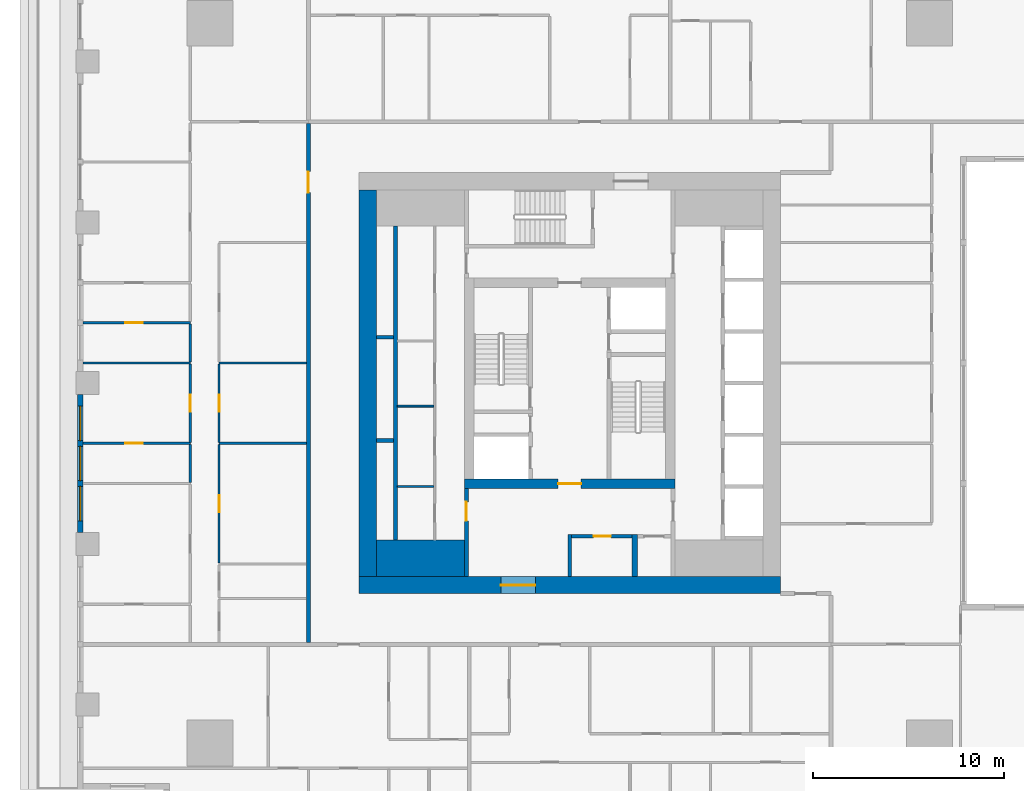
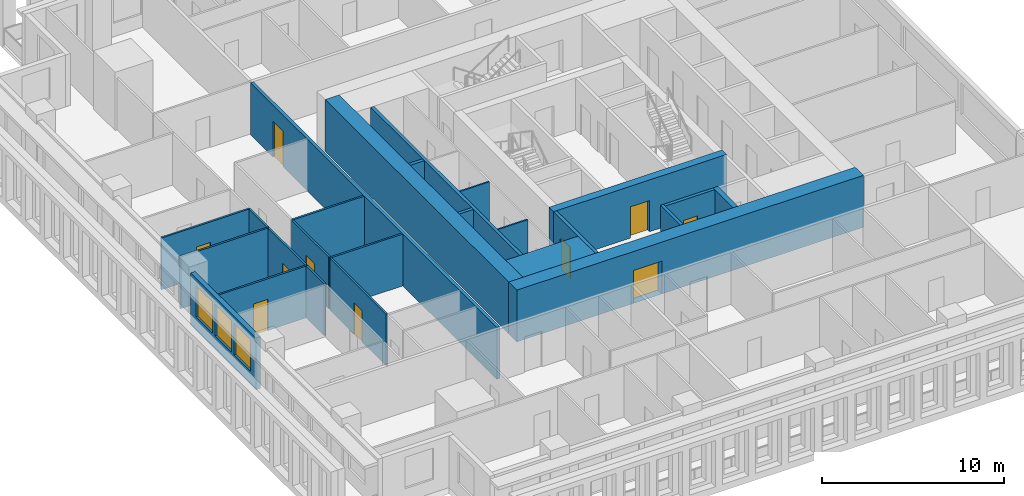
# One storey, part 3 of 15: 25 walls, 10 doors, 3 windows, 13 openings.
"""IFC4 building model written with IfcOpenShell, lengths in metres."""

from ifc_helpers import new_model, si_unit, direction, frame, frame_2d, origin, place, context, subcontext, project, spatial, rectangle, extrude, material, layer, layer_set, type_object, element, fill, save


model = new_model("IFC4")

# Units and contexts
model_context = context("Model", 3, precision=1e-05, world=origin(), true_north=direction((0.0, 1.0)))
body_context = subcontext(model_context, "Body", "Model", "MODEL_VIEW")
ifc_project = project(units=[si_unit("LENGTHUNIT", "METRE"), si_unit("AREAUNIT", "SQUARE_METRE"), si_unit("VOLUMEUNIT", "CUBIC_METRE"), si_unit("PLANEANGLEUNIT", "RADIAN"), si_unit("MASSUNIT", "GRAM", prefix="KILO")], contexts=[model_context])

# Site, building, storey
site_placement = place(None, origin())
site = spatial("IfcSite", under=ifc_project, at=site_placement, CompositionType="ELEMENT")
building_placement = place(site_placement, origin())
building = spatial("IfcBuilding", under=site, at=building_placement, Name="Khepri Terraces", CompositionType="ELEMENT")
storey_placement = place(building_placement, frame((0.0, 0.0, 223.5)))
storey = spatial("IfcBuildingStorey", under=building, at=storey_placement, Name="L53", CompositionType="ELEMENT", Elevation=223.5)

# Walls
ifc_material_1 = material(Name="Concrete C50/60", Category="concrete")
ifc_layer_1 = layer(ifc_material_1, 1.89990234375, Name="Concrete C50/60", Category="concrete")
ifc_layer_set_1 = layer_set([ifc_layer_1], Name="Concrete C50/60")
wall_type_1 = type_object("IfcWallType", Name="Core wall 1900 C50/60", PredefinedType="SHEAR", material=ifc_layer_set_1)
wall_1_placement = place(storey_placement, frame((-10.10009765625, -9.14990234375, 0.0), z_axis=(0.0, 0.0, 1.0), x_axis=(1.0, 0.0, 0.0)))
element("IfcWall", 1, at=wall_1_placement, inside=storey, type_object=wall_type_1, Name="Core wall PR01 L53", PredefinedType="SHEAR", context=body_context, shape_type="SweptSolid", body=[
    extrude(rectangle(XDim=4.60009765625, YDim=1.89990234375, at=frame_2d((2.300048828125, 0.0))), origin(), (0.0, 0.0, 1.0), 3.47998046875),
])
ifc_layer_2 = layer(ifc_material_1, 0.199951171875, Name="Concrete C50/60", Category="concrete")
ifc_layer_set_2 = layer_set([ifc_layer_2], Name="Concrete C50/60")
wall_type_2 = type_object("IfcWallType", Name="Core wall 200 C50/60", PredefinedType="SHEAR", material=ifc_layer_set_2)
wall_2_placement = place(storey_placement, frame((-9.10009765625, -8.199951171875, 0.0), z_axis=(0.0, 0.0, 1.0), x_axis=(0.0, 1.0, 0.0)))
element("IfcWall", 2, at=wall_2_placement, inside=storey, type_object=wall_type_2, Name="Core wall SH01 L53", PredefinedType="SHEAR", context=body_context, shape_type="SweptSolid", body=[
    extrude(rectangle(XDim=16.39990234375, YDim=0.199951171875, at=frame_2d((8.199951171875, 0.0))), origin(), (0.0, 0.0, 1.0), 3.47998046875),
])
for number, where, z_axis, x_axis, name in (
    (3, (-10.10009765625, -3.0, 0.0), (0.0, 0.0, 1.0), (1.0, 0.0, 0.0), "Core wall SH06 L53"),
    (4, (-10.10009765625, 2.39990234375, 0.0), (0.0, 0.0, 1.0), (1.0, 0.0, 0.0), "Core wall SH11 L53"),
):
    element("IfcWall", number, at=place(storey_placement, frame(where, z_axis=z_axis, x_axis=x_axis)), inside=storey, type_object=wall_type_2, Name=name, PredefinedType="SHEAR", context=body_context, shape_type="SweptSolid", body=[
        extrude(rectangle(XDim=0.900146484375, YDim=0.199951171875, at=frame_2d((0.4501953125, 0.0))), origin(), (0.0, 0.0, 1.0), 3.47998046875),
    ])

# Wall, opening, door
ifc_layer_3 = layer(ifc_material_1, 0.5, Name="Concrete C50/60", Category="concrete")
ifc_layer_set_3 = layer_set([ifc_layer_3], Name="Concrete C50/60")
wall_type_3 = type_object("IfcWallType", Name="Core wall 500 C50/60", PredefinedType="SHEAR", material=ifc_layer_set_3)
wall_3_placement = place(storey_placement, frame((-5.5, -5.25, 0.0), z_axis=(0.0, 0.0, 1.0), x_axis=(1.0, 0.0, 0.0)))
wall_3 = element("IfcWall", 5, at=wall_3_placement, inside=storey, type_object=wall_type_3, Name="Core wall BX01 L53", PredefinedType="SHEAR", context=body_context, shape_type="SweptSolid", body=[
    extrude(rectangle(XDim=11.0, YDim=0.5, at=frame_2d((5.5, 0.0))), origin(), (0.0, 0.0, 1.0), 3.47998046875),
])
opening_1_placement = place(wall_3_placement, frame((4.89990234375, 0.0, 0.0)))
opening_1 = element("IfcOpeningElement", 6, at=opening_1_placement, cuts=wall_3, Name="Opening L53-C14", PredefinedType="OPENING", context=body_context, shape_type="SweptSolid", body=[
    extrude(rectangle(XDim=1.199951171875, YDim=2.10009765625, at=frame_2d((0.60009765625, 1.050048828125))), frame((0.0, 0.260009765625, 0.0), z_axis=(0.0, -1.0, 0.0), x_axis=(1.0, 0.0, 0.0)), (0.0, 0.0, 1.0), 0.52001953125),
])
ifc_material_2 = material(Name="Painted steel", Category="steel")
door_type_1 = type_object("IfcDoorType", Name="DR-CORE-FF-LOBBY-1200", OperationType="NOTDEFINED", PredefinedType="DOOR", material=ifc_material_2)
door_1_placement = place(opening_1_placement, origin())
door_1 = element("IfcDoor", 7, at=door_1_placement, inside=storey, type_object=door_type_1, Name="Firefighting lobby door L53-C14", OperationType="SINGLE_SWING_RIGHT", OverallHeight=2.10009765625, OverallWidth=1.199951171875, PredefinedType="DOOR", context=body_context, shape_type="SweptSolid", body=[
    extrude(rectangle(XDim=1.199951171875, YDim=2.10009765625, at=frame_2d((0.60009765625, 1.050048828125))), frame((0.0, 0.02490234375, 0.0), z_axis=(0.0, -1.0, 0.0), x_axis=(1.0, 0.0, 0.0)), (0.0, 0.0, 1.0), 0.050048828125),
])
fill(opening_1, door_1)

ifc_layer_4 = layer(ifc_material_1, 0.89990234375, Name="Concrete C50/60", Category="concrete")
ifc_layer_set_4 = layer_set([ifc_layer_4], Name="Concrete C50/60")
wall_type_4 = type_object("IfcWallType", Name="Core wall 900 C50/60", PredefinedType="SHEAR", material=ifc_layer_set_4)
wall_4_placement = place(storey_placement, frame((-11.0, -10.550048828125, 0.0), z_axis=(0.0, 0.0, 1.0), x_axis=(1.0, 0.0, 0.0)))
wall_4 = element("IfcWall", 8, at=wall_4_placement, inside=storey, type_object=wall_type_4, Name="Core wall OW-S L53", PredefinedType="SHEAR", context=body_context, shape_type="SweptSolid", body=[
    extrude(rectangle(XDim=22.0, YDim=0.89990234375, at=frame_2d((11.0, 0.0))), origin(), (0.0, 0.0, 1.0), 3.47998046875),
])
opening_2_placement = place(wall_4_placement, frame((7.39990234375, 0.0, 0.0)))
opening_2 = element("IfcOpeningElement", 9, at=opening_2_placement, cuts=wall_4, Name="Opening L53-C21", PredefinedType="OPENING", context=body_context, shape_type="SweptSolid", body=[
    extrude(rectangle(XDim=1.800048828125, YDim=2.199951171875, at=frame_2d((0.89990234375, 1.10009765625))), frame((0.0, 0.4599609375, 0.0), z_axis=(0.0, -1.0, 0.0), x_axis=(1.0, 0.0, 0.0)), (0.0, 0.0, 1.0), 0.919921875),
])
door_type_2 = type_object("IfcDoorType", Name="DR-CORE-ENTRANCE-1800", OperationType="NOTDEFINED", PredefinedType="DOOR", material=ifc_material_2)
door_2_placement = place(opening_2_placement, frame((1.800048828125, 0.0, 0.0), z_axis=(0.0, 0.0, 1.0), x_axis=(-1.0, 0.0, 0.0)))
door_2 = element("IfcDoor", 10, at=door_2_placement, inside=storey, type_object=door_type_2, Name="Core entrance door pair L53-C21", OperationType="DOUBLE_DOOR_SINGLE_SWING", OverallHeight=2.199951171875, OverallWidth=1.800048828125, PredefinedType="DOOR", context=body_context, shape_type="SweptSolid", body=[
    extrude(rectangle(XDim=1.800048828125, YDim=2.199951171875, at=frame_2d((0.89990234375, 1.10009765625))), frame((0.0, 0.02490234375, 0.0), z_axis=(0.0, -1.0, 0.0), x_axis=(1.0, 0.0, 0.0)), (0.0, 0.0, 1.0), 0.050048828125),
])
fill(opening_2, door_2)

# Walls
wall_5_placement = place(storey_placement, frame((-10.550048828125, -10.10009765625, 0.0), z_axis=(0.0, 0.0, 1.0), x_axis=(0.0, 1.0, 0.0)))
element("IfcWall", 11, at=wall_5_placement, inside=storey, type_object=wall_type_4, Name="Core wall OW-W L53", PredefinedType="SHEAR", context=body_context, shape_type="SweptSolid", body=[
    extrude(rectangle(XDim=20.2001953125, YDim=0.89990234375, at=frame_2d((10.10009765625, 0.0))), origin(), (0.0, 0.0, 1.0), 3.47998046875),
])
ifc_material_3 = material(Name="Fire-rated gypsum board partition")
ifc_layer_5 = layer(ifc_material_3, 0.10009765625, Name="Fire-rated gypsum board partition")
ifc_layer_set_5 = layer_set([ifc_layer_5], Name="Fire-rated gypsum board partition")
wall_type_5 = type_object("IfcWallType", Name="WL-CORE-PART-100", PredefinedType="PARTITIONING", material=ifc_layer_set_5)
for number, where, z_axis, x_axis, name in (
    (12, (-9.0, -5.39990234375, 0.0), (0.0, 0.0, 1.0), (1.0, 0.0, 0.0), "Core partition PT08 L53"),
    (13, (-9.0, -1.199951171875, 0.0), (0.0, 0.0, 1.0), (1.0, 0.0, 0.0), "Core partition PT09 L53"),
):
    element("IfcWall", number, at=place(storey_placement, frame(where, z_axis=z_axis, x_axis=x_axis)), inside=storey, type_object=wall_type_5, Name=name, PredefinedType="PARTITIONING", context=body_context, shape_type="SweptSolid", body=[
        extrude(rectangle(XDim=1.89990234375, YDim=0.10009765625, at=frame_2d((0.949951171875, 0.0))), origin(), (0.0, 0.0, 1.0), 3.47998046875),
    ])

# Wall, opening, door
ifc_layer_6 = layer(ifc_material_3, 0.199951171875, Name="Fire-rated gypsum board partition")
ifc_layer_set_6 = layer_set([ifc_layer_6], Name="Fire-rated gypsum board partition")
wall_type_6 = type_object("IfcWallType", Name="WL-CORE-PART-200", PredefinedType="PARTITIONING", material=ifc_layer_set_6)
wall_6_placement = place(storey_placement, frame((-5.39990234375, -10.10009765625, 0.0), z_axis=(0.0, 0.0, 1.0), x_axis=(0.0, 1.0, 0.0)))
wall_6 = element("IfcWall", 14, at=wall_6_placement, inside=storey, type_object=wall_type_6, Name="Core partition PT01 L53", PredefinedType="PARTITIONING", context=body_context, shape_type="SweptSolid", body=[
    extrude(rectangle(XDim=4.60009765625, YDim=0.199951171875, at=frame_2d((2.300048828125, 0.0))), origin(), (0.0, 0.0, 1.0), 3.47998046875),
])
opening_3_placement = place(wall_6_placement, frame((2.89990234375, 0.0, 0.0)))
opening_3 = element("IfcOpeningElement", 15, at=opening_3_placement, cuts=wall_6, Name="Opening L53-C18", PredefinedType="OPENING", context=body_context, shape_type="SweptSolid", body=[
    extrude(rectangle(XDim=1.0, YDim=2.10009765625, at=frame_2d((0.5, 1.050048828125))), frame((0.0, 0.10986328125, 0.0), z_axis=(0.0, -1.0, 0.0), x_axis=(1.0, 0.0, 0.0)), (0.0, 0.0, 1.0), 0.219970703125),
])
door_type_3 = type_object("IfcDoorType", Name="DR-CORE-LOBBY-1000", OperationType="NOTDEFINED", PredefinedType="DOOR", material=ifc_material_2)
door_3_placement = place(opening_3_placement, frame((1.0, 0.0, 0.0), z_axis=(0.0, 0.0, 1.0), x_axis=(-1.0, 0.0, 0.0)))
door_3 = element("IfcDoor", 16, at=door_3_placement, inside=storey, type_object=door_type_3, Name="Lobby door L53-C18", OperationType="SINGLE_SWING_LEFT", OverallHeight=2.10009765625, OverallWidth=1.0, PredefinedType="DOOR", context=body_context, shape_type="SweptSolid", body=[
    extrude(rectangle(XDim=1.0, YDim=2.10009765625, at=frame_2d((0.5, 1.050048828125))), frame((0.0, 0.02490234375, 0.0), z_axis=(0.0, -1.0, 0.0), x_axis=(1.0, 0.0, 0.0)), (0.0, 0.0, 1.0), 0.050048828125),
])
fill(opening_3, door_3)

# Wall
wall_7_placement = place(storey_placement, frame((0.0, -10.10009765625, 0.0), z_axis=(0.0, 0.0, 1.0), x_axis=(0.0, 1.0, 0.0)))
element("IfcWall", 17, at=wall_7_placement, inside=storey, type_object=wall_type_6, Name="Core partition PT02 L53", PredefinedType="PARTITIONING", context=body_context, shape_type="SweptSolid", body=[
    extrude(rectangle(XDim=2.2001953125, YDim=0.199951171875, at=frame_2d((1.10009765625, 0.0))), origin(), (0.0, 0.0, 1.0), 3.47998046875),
])

# Wall, opening, door
wall_8_placement = place(storey_placement, frame((0.10009765625, -8.0, 0.0), z_axis=(0.0, 0.0, 1.0), x_axis=(1.0, 0.0, 0.0)))
wall_8 = element("IfcWall", 18, at=wall_8_placement, inside=storey, type_object=wall_type_6, Name="Core partition PT06 L53", PredefinedType="PARTITIONING", context=body_context, shape_type="SweptSolid", body=[
    extrude(rectangle(XDim=3.14990234375, YDim=0.199951171875, at=frame_2d((1.574951171875, 0.0))), origin(), (0.0, 0.0, 1.0), 3.47998046875),
])
opening_4_placement = place(wall_8_placement, frame((1.14990234375, 0.0, 0.0)))
opening_4 = element("IfcOpeningElement", 19, at=opening_4_placement, cuts=wall_8, Name="Opening L53-C22", PredefinedType="OPENING", context=body_context, shape_type="SweptSolid", body=[
    extrude(rectangle(XDim=0.89990234375, YDim=2.10009765625, at=frame_2d((0.449951171875, 1.050048828125))), frame((0.0, 0.10986328125, 0.0), z_axis=(0.0, -1.0, 0.0), x_axis=(1.0, 0.0, 0.0)), (0.0, 0.0, 1.0), 0.219970703125),
])
door_type_4 = type_object("IfcDoorType", Name="DR-CORE-SERVICE-900", OperationType="NOTDEFINED", PredefinedType="DOOR", material=ifc_material_2)
door_4_placement = place(opening_4_placement, frame((0.89990234375, 0.0, 0.0), z_axis=(0.0, 0.0, 1.0), x_axis=(-1.0, 0.0, 0.0)))
door_4 = element("IfcDoor", 20, at=door_4_placement, inside=storey, type_object=door_type_4, Name="Service room door L53-C22", OperationType="SINGLE_SWING_LEFT", OverallHeight=2.10009765625, OverallWidth=0.89990234375, PredefinedType="DOOR", context=body_context, shape_type="SweptSolid", body=[
    extrude(rectangle(XDim=0.89990234375, YDim=2.10009765625, at=frame_2d((0.449951171875, 1.050048828125))), frame((0.0, 0.02490234375, 0.0), z_axis=(0.0, -1.0, 0.0), x_axis=(1.0, 0.0, 0.0)), (0.0, 0.0, 1.0), 0.050048828125),
])
fill(opening_4, door_4)

# Wall
ifc_layer_7 = layer(ifc_material_3, 0.300048828125, Name="Fire-rated gypsum board partition")
ifc_layer_set_7 = layer_set([ifc_layer_7], Name="Fire-rated gypsum board partition")
wall_type_7 = type_object("IfcWallType", Name="WL-CORE-PART-300", PredefinedType="PARTITIONING", material=ifc_layer_set_7)
wall_9_placement = place(storey_placement, frame((3.39990234375, -10.10009765625, 0.0), z_axis=(0.0, 0.0, 1.0), x_axis=(0.0, 1.0, 0.0)))
element("IfcWall", 21, at=wall_9_placement, inside=storey, type_object=wall_type_7, Name="Core partition PT03 L53", PredefinedType="PARTITIONING", context=body_context, shape_type="SweptSolid", body=[
    extrude(rectangle(XDim=2.2001953125, YDim=0.300048828125, at=frame_2d((1.10009765625, 0.0))), origin(), (0.0, 0.0, 1.0), 3.47998046875),
])

# Wall, opening, door
ifc_material_4 = material(Name="Fire-rated gypsum plasterboard partition, mineral wool")
ifc_layer_8 = layer(ifc_material_4, 0.199951171875, Name="Fire-rated gypsum plasterboard partition, mineral wool")
ifc_layer_set_8 = layer_set([ifc_layer_8], Name="Fire-rated gypsum plasterboard partition, mineral wool")
wall_type_8 = type_object("IfcWallType", Name="WL-CORR-200", PredefinedType="PARTITIONING", material=ifc_layer_set_8)
wall_10_placement = place(storey_placement, frame((-13.64990234375, -13.550048828125, 0.0), z_axis=(0.0, 0.0, 1.0), x_axis=(0.0, 1.0, 0.0)))
wall_10 = element("IfcWall", 22, at=wall_10_placement, inside=storey, type_object=wall_type_8, Name="Partition P-028 L53", PredefinedType="PARTITIONING", context=body_context, shape_type="SweptSolid", body=[
    extrude(rectangle(XDim=27.10009765625, YDim=0.199951171875, at=frame_2d((13.550048828125, 0.0))), origin(), (0.0, 0.0, 1.0), 3.47998046875),
])
opening_5_placement = place(wall_10_placement, frame((23.5, 0.0, 0.0)))
opening_5 = element("IfcOpeningElement", 23, at=opening_5_placement, cuts=wall_10, Name="Opening D1", PredefinedType="OPENING", context=body_context, shape_type="SweptSolid", body=[
    extrude(rectangle(XDim=1.10009765625, YDim=2.39990234375, at=frame_2d((0.550048828125, 1.199951171875))), frame((0.0, 0.10986328125, 0.0), z_axis=(0.0, -1.0, 0.0), x_axis=(1.0, 0.0, 0.0)), (0.0, 0.0, 1.0), 0.219970703125),
])
ifc_material_5 = material(Name="Solid-core timber door leaf, flat entrance door", Category="wood")
door_type_5 = type_object("IfcDoorType", Name="DR-ENT-1100", OperationType="NOTDEFINED", PredefinedType="DOOR", material=ifc_material_5)
door_5_placement = place(opening_5_placement, origin())
door_5 = element("IfcDoor", 24, at=door_5_placement, inside=storey, type_object=door_type_5, Name="Flat D1 entrance door", OperationType="SINGLE_SWING_RIGHT", OverallHeight=2.39990234375, OverallWidth=1.10009765625, PredefinedType="DOOR", context=body_context, shape_type="SweptSolid", body=[
    extrude(rectangle(XDim=1.10009765625, YDim=2.39990234375, at=frame_2d((0.550048828125, 1.199951171875))), frame((0.0, 0.02490234375, 0.0), z_axis=(0.0, -1.0, 0.0), x_axis=(1.0, 0.0, 0.0)), (0.0, 0.0, 1.0), 0.050048828125),
])
fill(opening_5, door_5)

# Wall, openings, windows
ifc_material_6 = material(Name="Precast concrete C50/60 warm stone", Category="masonry")
ifc_layer_9 = layer(ifc_material_6, 0.300048828125, Name="Precast concrete C50/60 warm stone", Category="masonry")
ifc_layer_set_9 = layer_set([ifc_layer_9], Name="Precast concrete C50/60 warm stone")
wall_type_9 = type_object("IfcWallType", Name="WL-EXT-PRECAST-300", PredefinedType="STANDARD", material=ifc_layer_set_9)
wall_11_placement = place(storey_placement, frame((-25.570068359375, -0.60009765625, 0.0), z_axis=(0.0, 0.0, 1.0), x_axis=(0.0, -1.0, 0.0)))
wall_11 = element("IfcWall", 25, at=wall_11_placement, inside=storey, type_object=wall_type_9, Name="External wall L53 W", PredefinedType="STANDARD", context=body_context, shape_type="SweptSolid", body=[
    extrude(rectangle(XDim=7.199951171875, YDim=0.300048828125, at=frame_2d((3.60009765625, 0.0))), origin(), (0.0, 0.0, 1.0), 3.47998046875),
])
opening_6_placement = place(wall_11_placement, frame((0.60009765625, 0.0, 0.89990234375)))
opening_6 = element("IfcOpeningElement", 26, at=opening_6_placement, cuts=wall_11, Name="Opening W1", PredefinedType="OPENING", context=body_context, shape_type="SweptSolid", body=[
    extrude(rectangle(XDim=1.800048828125, YDim=2.10009765625, at=frame_2d((0.89990234375, 1.050048828125))), frame((0.0, 0.16015625, 0.0), z_axis=(0.0, -1.0, 0.0), x_axis=(1.0, 0.0, 0.0)), (0.0, 0.0, 1.0), 0.320068359375),
])
opening_7_placement = place(wall_11_placement, frame((2.699951171875, 0.0, 0.89990234375)))
opening_7 = element("IfcOpeningElement", 27, at=opening_7_placement, cuts=wall_11, Name="Opening W1", PredefinedType="OPENING", context=body_context, shape_type="SweptSolid", body=[
    extrude(rectangle(XDim=1.800048828125, YDim=2.10009765625, at=frame_2d((0.89990234375, 1.050048828125))), frame((0.0, 0.16015625, 0.0), z_axis=(0.0, -1.0, 0.0), x_axis=(1.0, 0.0, 0.0)), (0.0, 0.0, 1.0), 0.320068359375),
])
opening_8_placement = place(wall_11_placement, frame((4.800048828125, 0.0, 0.89990234375)))
opening_8 = element("IfcOpeningElement", 28, at=opening_8_placement, cuts=wall_11, Name="Opening W1", PredefinedType="OPENING", context=body_context, shape_type="SweptSolid", body=[
    extrude(rectangle(XDim=1.800048828125, YDim=2.10009765625, at=frame_2d((0.89990234375, 1.050048828125))), frame((0.0, 0.16015625, 0.0), z_axis=(0.0, -1.0, 0.0), x_axis=(1.0, 0.0, 0.0)), (0.0, 0.0, 1.0), 0.320068359375),
])
ifc_material_7 = material(Name="Clear glass", Category="glass")
window_type = type_object("IfcWindowType", Name="WIN-RES-1800x2100", PartitioningType="SINGLE_PANEL", PredefinedType="WINDOW", material=ifc_material_7)
window_1_placement = place(opening_6_placement, origin())
window_1 = element("IfcWindow", 29, at=window_1_placement, inside=storey, type_object=window_type, Name="Window L53 W", OverallHeight=2.10009765625, OverallWidth=1.800048828125, PartitioningType="SINGLE_PANEL", PredefinedType="WINDOW", context=body_context, shape_type="SweptSolid", body=[
    extrude(rectangle(XDim=1.800048828125, YDim=2.10009765625, at=frame_2d((0.89990234375, 1.050048828125))), frame((0.0, 0.030029296875, 0.0), z_axis=(0.0, -1.0, 0.0), x_axis=(1.0, 0.0, 0.0)), (0.0, 0.0, 1.0), 0.06005859375),
])
fill(opening_6, window_1)
window_2_placement = place(opening_7_placement, origin())
window_2 = element("IfcWindow", 30, at=window_2_placement, inside=storey, type_object=window_type, Name="Window L53 W", OverallHeight=2.10009765625, OverallWidth=1.800048828125, PartitioningType="SINGLE_PANEL", PredefinedType="WINDOW", context=body_context, shape_type="SweptSolid", body=[
    extrude(rectangle(XDim=1.800048828125, YDim=2.10009765625, at=frame_2d((0.89990234375, 1.050048828125))), frame((0.0, 0.030029296875, 0.0), z_axis=(0.0, -1.0, 0.0), x_axis=(1.0, 0.0, 0.0)), (0.0, 0.0, 1.0), 0.06005859375),
])
fill(opening_7, window_2)
window_3_placement = place(opening_8_placement, origin())
window_3 = element("IfcWindow", 31, at=window_3_placement, inside=storey, type_object=window_type, Name="Window L53 W", OverallHeight=2.10009765625, OverallWidth=1.800048828125, PartitioningType="SINGLE_PANEL", PredefinedType="WINDOW", context=body_context, shape_type="SweptSolid", body=[
    extrude(rectangle(XDim=1.800048828125, YDim=2.10009765625, at=frame_2d((0.89990234375, 1.050048828125))), frame((0.0, 0.030029296875, 0.0), z_axis=(0.0, -1.0, 0.0), x_axis=(1.0, 0.0, 0.0)), (0.0, 0.0, 1.0), 0.06005859375),
])
fill(opening_8, window_3)

# Wall, opening, door
ifc_material_8 = material(Name="Gypsum plasterboard partition")
ifc_layer_10 = layer(ifc_material_8, 0.1201171875, Name="Gypsum plasterboard partition")
ifc_layer_set_10 = layer_set([ifc_layer_10], Name="Gypsum plasterboard partition")
wall_type_10 = type_object("IfcWallType", Name="WL-PART-120", PredefinedType="PARTITIONING", material=ifc_layer_set_10)
wall_12_placement = place(storey_placement, frame((-18.320068359375, -9.389892578125, 0.0), z_axis=(0.0, 0.0, 1.0), x_axis=(0.0, 1.0, 0.0)))
wall_12 = element("IfcWall", 32, at=wall_12_placement, inside=storey, type_object=wall_type_10, Name="Partition P-037 L53", PredefinedType="PARTITIONING", context=body_context, shape_type="SweptSolid", body=[
    extrude(rectangle(XDim=6.179931640625, YDim=0.1201171875, at=frame_2d((3.08984375, 0.0))), origin(), (0.0, 0.0, 1.0), 3.47998046875),
])
opening_9_placement = place(wall_12_placement, frame((2.639892578125, 0.0, 0.0)))
opening_9 = element("IfcOpeningElement", 33, at=opening_9_placement, cuts=wall_12, Name="Opening D3", PredefinedType="OPENING", context=body_context, shape_type="SweptSolid", body=[
    extrude(rectangle(XDim=0.89990234375, YDim=2.10009765625, at=frame_2d((0.449951171875, 1.050048828125))), frame((0.0, 0.070068359375, 0.0), z_axis=(0.0, -1.0, 0.0), x_axis=(1.0, 0.0, 0.0)), (0.0, 0.0, 1.0), 0.14013671875),
])
ifc_material_9 = material(Name="Timber door leaf", Category="wood")
door_type_6 = type_object("IfcDoorType", Name="DR-INT-900", OperationType="NOTDEFINED", PredefinedType="DOOR", material=ifc_material_9)
door_6_placement = place(opening_9_placement, frame((0.89990234375, 0.0, 0.0), z_axis=(0.0, 0.0, 1.0), x_axis=(-1.0, 0.0, 0.0)))
door_6 = element("IfcDoor", 34, at=door_6_placement, inside=storey, type_object=door_type_6, Name="Door Staff Bedroom", OperationType="SINGLE_SWING_LEFT", OverallHeight=2.10009765625, OverallWidth=0.89990234375, PredefinedType="DOOR", context=body_context, shape_type="SweptSolid", body=[
    extrude(rectangle(XDim=0.89990234375, YDim=2.10009765625, at=frame_2d((0.449951171875, 1.050048828125))), frame((0.0, 0.02490234375, 0.0), z_axis=(0.0, -1.0, 0.0), x_axis=(1.0, 0.0, 0.0)), (0.0, 0.0, 1.0), 0.050048828125),
])
fill(opening_9, door_6)

# Wall
wall_13_placement = place(storey_placement, frame((-19.820068359375, -5.18994140625, 0.0), z_axis=(0.0, 0.0, 1.0), x_axis=(0.0, 1.0, 0.0)))
element("IfcWall", 35, at=wall_13_placement, inside=storey, type_object=wall_type_10, Name="Partition P-041 L53", PredefinedType="PARTITIONING", context=body_context, shape_type="SweptSolid", body=[
    extrude(rectangle(XDim=1.97998046875, YDim=0.1201171875, at=frame_2d((0.989990234375, 0.0))), origin(), (0.0, 0.0, 1.0), 3.47998046875),
])

# Wall, opening, door
wall_14_placement = place(storey_placement, frame((-25.419921875, -3.14990234375, 0.0), z_axis=(0.0, 0.0, 1.0), x_axis=(1.0, 0.0, 0.0)))
wall_14 = element("IfcWall", 36, at=wall_14_placement, inside=storey, type_object=wall_type_10, Name="Partition P-042 L53", PredefinedType="PARTITIONING", context=body_context, shape_type="SweptSolid", body=[
    extrude(rectangle(XDim=5.599853515625, YDim=0.1201171875, at=frame_2d((2.7998046875, 0.0))), origin(), (0.0, 0.0, 1.0), 3.47998046875),
])
opening_10_placement = place(wall_14_placement, frame((2.199951171875, 0.0, 0.0)))
opening_10 = element("IfcOpeningElement", 37, at=opening_10_placement, cuts=wall_14, Name="Opening D4", PredefinedType="OPENING", context=body_context, shape_type="SweptSolid", body=[
    extrude(rectangle(XDim=0.89990234375, YDim=2.10009765625, at=frame_2d((0.449951171875, 1.050048828125))), frame((0.0, 0.070068359375, 0.0), z_axis=(0.0, -1.0, 0.0), x_axis=(1.0, 0.0, 0.0)), (0.0, 0.0, 1.0), 0.14013671875),
])
ifc_material_10 = material(Name="Timber door leaf, moisture resistant", Category="wood")
door_type_7 = type_object("IfcDoorType", Name="DR-WET-900", OperationType="NOTDEFINED", PredefinedType="DOOR", material=ifc_material_10)
door_7_placement = place(opening_10_placement, frame((0.89990234375, 0.0, 0.0), z_axis=(0.0, 0.0, 1.0), x_axis=(-1.0, 0.0, 0.0)))
door_7 = element("IfcDoor", 38, at=door_7_placement, inside=storey, type_object=door_type_7, Name="Door Bathroom", OperationType="SINGLE_SWING_RIGHT", OverallHeight=2.10009765625, OverallWidth=0.89990234375, PredefinedType="DOOR", context=body_context, shape_type="SweptSolid", body=[
    extrude(rectangle(XDim=0.89990234375, YDim=2.10009765625, at=frame_2d((0.449951171875, 1.050048828125))), frame((0.0, 0.02490234375, 0.0), z_axis=(0.0, -1.0, 0.0), x_axis=(1.0, 0.0, 0.0)), (0.0, 0.0, 1.0), 0.050048828125),
])
fill(opening_10, door_7)

# Wall
wall_15_placement = place(storey_placement, frame((-18.320068359375, -3.14990234375, 0.0), z_axis=(0.0, 0.0, 1.0), x_axis=(1.0, 0.0, 0.0)))
element("IfcWall", 39, at=wall_15_placement, inside=storey, type_object=wall_type_10, Name="Partition P-043 L53", PredefinedType="PARTITIONING", context=body_context, shape_type="SweptSolid", body=[
    extrude(rectangle(XDim=4.570068359375, YDim=0.1201171875, at=frame_2d((2.28515625, 0.0))), origin(), (0.0, 0.0, 1.0), 3.47998046875),
])

# Wall, opening, door
wall_16_placement = place(storey_placement, frame((-19.820068359375, -3.090087890625, 0.0), z_axis=(0.0, 0.0, 1.0), x_axis=(0.0, 1.0, 0.0)))
wall_16 = element("IfcWall", 40, at=wall_16_placement, inside=storey, type_object=wall_type_10, Name="Partition P-045 L53", PredefinedType="PARTITIONING", context=body_context, shape_type="SweptSolid", body=[
    extrude(rectangle(XDim=4.080078125, YDim=0.1201171875, at=frame_2d((2.0400390625, 0.0))), origin(), (0.0, 0.0, 1.0), 3.47998046875),
])
opening_11_placement = place(wall_16_placement, frame((1.590087890625, 0.0, 0.0)))
opening_11 = element("IfcOpeningElement", 41, at=opening_11_placement, cuts=wall_16, Name="Opening D3", PredefinedType="OPENING", context=body_context, shape_type="SweptSolid", body=[
    extrude(rectangle(XDim=0.89990234375, YDim=2.10009765625, at=frame_2d((0.449951171875, 1.050048828125))), frame((0.0, 0.070068359375, 0.0), z_axis=(0.0, -1.0, 0.0), x_axis=(1.0, 0.0, 0.0)), (0.0, 0.0, 1.0), 0.14013671875),
])
door_8_placement = place(opening_11_placement, origin())
door_8 = element("IfcDoor", 42, at=door_8_placement, inside=storey, type_object=door_type_6, Name="Door Bedroom", OperationType="SINGLE_SWING_RIGHT", OverallHeight=2.10009765625, OverallWidth=0.89990234375, PredefinedType="DOOR", context=body_context, shape_type="SweptSolid", body=[
    extrude(rectangle(XDim=0.89990234375, YDim=2.10009765625, at=frame_2d((0.449951171875, 1.050048828125))), frame((0.0, 0.02490234375, 0.0), z_axis=(0.0, -1.0, 0.0), x_axis=(1.0, 0.0, 0.0)), (0.0, 0.0, 1.0), 0.050048828125),
])
fill(opening_11, door_8)

wall_17_placement = place(storey_placement, frame((-18.320068359375, -3.090087890625, 0.0), z_axis=(0.0, 0.0, 1.0), x_axis=(0.0, 1.0, 0.0)))
wall_17 = element("IfcWall", 43, at=wall_17_placement, inside=storey, type_object=wall_type_10, Name="Partition P-046 L53", PredefinedType="PARTITIONING", context=body_context, shape_type="SweptSolid", body=[
    extrude(rectangle(XDim=4.080078125, YDim=0.1201171875, at=frame_2d((2.0400390625, 0.0))), origin(), (0.0, 0.0, 1.0), 3.47998046875),
])
opening_12_placement = place(wall_17_placement, frame((1.590087890625, 0.0, 0.0)))
opening_12 = element("IfcOpeningElement", 44, at=opening_12_placement, cuts=wall_17, Name="Opening D3", PredefinedType="OPENING", context=body_context, shape_type="SweptSolid", body=[
    extrude(rectangle(XDim=0.89990234375, YDim=2.10009765625, at=frame_2d((0.449951171875, 1.050048828125))), frame((0.0, 0.070068359375, 0.0), z_axis=(0.0, -1.0, 0.0), x_axis=(1.0, 0.0, 0.0)), (0.0, 0.0, 1.0), 0.14013671875),
])
door_9_placement = place(opening_12_placement, frame((0.89990234375, 0.0, 0.0), z_axis=(0.0, 0.0, 1.0), x_axis=(-1.0, 0.0, 0.0)))
door_9 = element("IfcDoor", 45, at=door_9_placement, inside=storey, type_object=door_type_6, Name="Door Service Store", OperationType="SINGLE_SWING_LEFT", OverallHeight=2.10009765625, OverallWidth=0.89990234375, PredefinedType="DOOR", context=body_context, shape_type="SweptSolid", body=[
    extrude(rectangle(XDim=0.89990234375, YDim=2.10009765625, at=frame_2d((0.449951171875, 1.050048828125))), frame((0.0, 0.02490234375, 0.0), z_axis=(0.0, -1.0, 0.0), x_axis=(1.0, 0.0, 0.0)), (0.0, 0.0, 1.0), 0.050048828125),
])
fill(opening_12, door_9)

# Walls
wall_18_placement = place(storey_placement, frame((-25.419921875, 1.050048828125, 0.0), z_axis=(0.0, 0.0, 1.0), x_axis=(1.0, 0.0, 0.0)))
element("IfcWall", 46, at=wall_18_placement, inside=storey, type_object=wall_type_10, Name="Partition P-048 L53", PredefinedType="PARTITIONING", context=body_context, shape_type="SweptSolid", body=[
    extrude(rectangle(XDim=5.599853515625, YDim=0.1201171875, at=frame_2d((2.7998046875, 0.0))), origin(), (0.0, 0.0, 1.0), 3.47998046875),
])
wall_19_placement = place(storey_placement, frame((-18.320068359375, 1.050048828125, 0.0), z_axis=(0.0, 0.0, 1.0), x_axis=(1.0, 0.0, 0.0)))
element("IfcWall", 47, at=wall_19_placement, inside=storey, type_object=wall_type_10, Name="Partition P-049 L53", PredefinedType="PARTITIONING", context=body_context, shape_type="SweptSolid", body=[
    extrude(rectangle(XDim=4.570068359375, YDim=0.1201171875, at=frame_2d((2.28515625, 0.0))), origin(), (0.0, 0.0, 1.0), 3.47998046875),
])
wall_20_placement = place(storey_placement, frame((-19.820068359375, 1.110107421875, 0.0), z_axis=(0.0, 0.0, 1.0), x_axis=(0.0, 1.0, 0.0)))
element("IfcWall", 48, at=wall_20_placement, inside=storey, type_object=wall_type_10, Name="Partition P-051 L53", PredefinedType="PARTITIONING", context=body_context, shape_type="SweptSolid", body=[
    extrude(rectangle(XDim=1.97998046875, YDim=0.1201171875, at=frame_2d((0.989990234375, 0.0))), origin(), (0.0, 0.0, 1.0), 3.47998046875),
])

# Wall, opening, door
wall_21_placement = place(storey_placement, frame((-25.419921875, 3.14990234375, 0.0), z_axis=(0.0, 0.0, 1.0), x_axis=(1.0, 0.0, 0.0)))
wall_21 = element("IfcWall", 49, at=wall_21_placement, inside=storey, type_object=wall_type_10, Name="Partition P-054 L53", PredefinedType="PARTITIONING", context=body_context, shape_type="SweptSolid", body=[
    extrude(rectangle(XDim=5.599853515625, YDim=0.1201171875, at=frame_2d((2.7998046875, 0.0))), origin(), (0.0, 0.0, 1.0), 3.47998046875),
])
opening_13_placement = place(wall_21_placement, frame((2.199951171875, 0.0, 0.0)))
opening_13 = element("IfcOpeningElement", 50, at=opening_13_placement, cuts=wall_21, Name="Opening D4", PredefinedType="OPENING", context=body_context, shape_type="SweptSolid", body=[
    extrude(rectangle(XDim=0.89990234375, YDim=2.10009765625, at=frame_2d((0.449951171875, 1.050048828125))), frame((0.0, 0.070068359375, 0.0), z_axis=(0.0, -1.0, 0.0), x_axis=(1.0, 0.0, 0.0)), (0.0, 0.0, 1.0), 0.14013671875),
])
door_10_placement = place(opening_13_placement, frame((0.89990234375, 0.0, 0.0), z_axis=(0.0, 0.0, 1.0), x_axis=(-1.0, 0.0, 0.0)))
door_10 = element("IfcDoor", 51, at=door_10_placement, inside=storey, type_object=door_type_7, Name="Door Bathroom", OperationType="SINGLE_SWING_RIGHT", OverallHeight=2.10009765625, OverallWidth=0.89990234375, PredefinedType="DOOR", context=body_context, shape_type="SweptSolid", body=[
    extrude(rectangle(XDim=0.89990234375, YDim=2.10009765625, at=frame_2d((0.449951171875, 1.050048828125))), frame((0.0, 0.02490234375, 0.0), z_axis=(0.0, -1.0, 0.0), x_axis=(1.0, 0.0, 0.0)), (0.0, 0.0, 1.0), 0.050048828125),
])
fill(opening_13, door_10)

save(model, "model.ifc")
